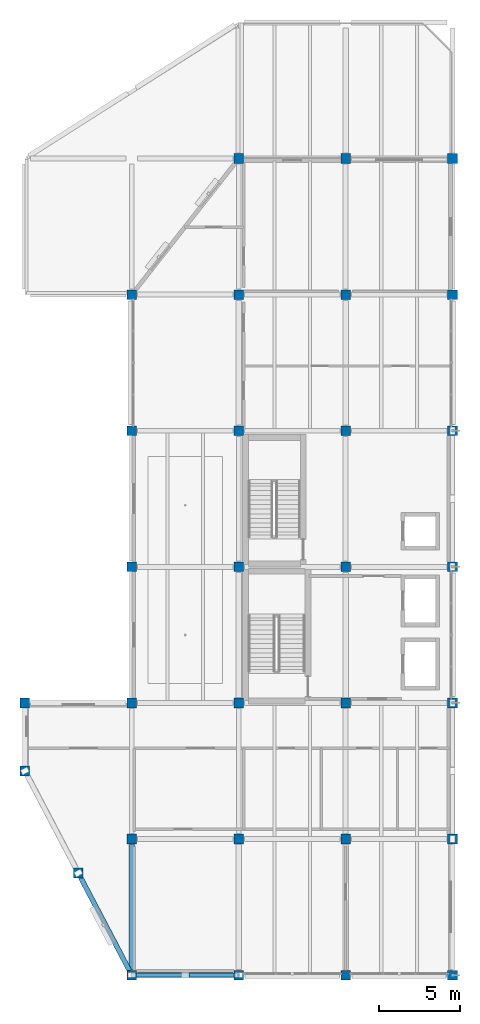
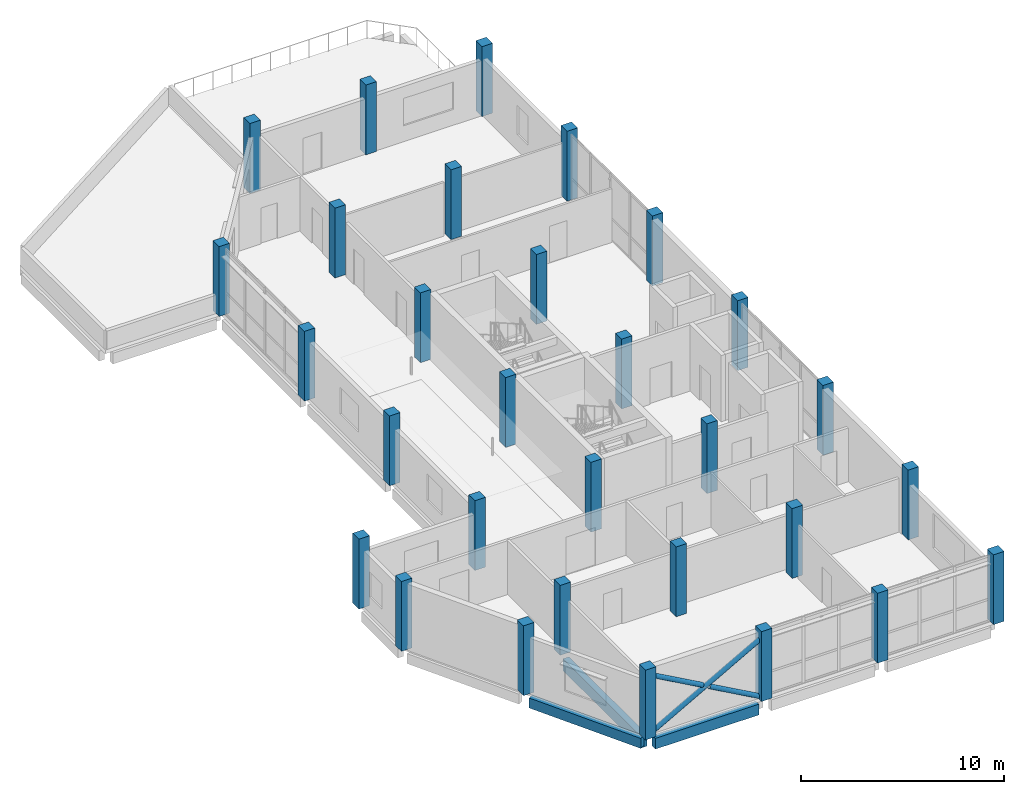
# One storey, part 1 of 12: 30 columns, 3 beams, 3 members.
"""IFC4 building model written with IfcOpenShell, lengths in metres."""

from ifc_helpers import new_model, si_unit, direction, frame, origin, origin_2d, place, context, subcontext, project, spatial, rectangle, hollow_circle, extrude, material, material_profile, profile_set, type_object, element, save


model = new_model("IFC4")

# Units and contexts
model_context = context("Model", 3, precision=1e-05, world=origin(), true_north=direction((0.0, 1.0)))
body_context = subcontext(model_context, "Body", "Model", "MODEL_VIEW")
ifc_project = project(units=[si_unit("LENGTHUNIT", "METRE"), si_unit("AREAUNIT", "SQUARE_METRE"), si_unit("VOLUMEUNIT", "CUBIC_METRE"), si_unit("PLANEANGLEUNIT", "RADIAN"), si_unit("MASSUNIT", "GRAM", prefix="KILO")], contexts=[model_context])

# Site, building, storey
site_placement = place(None, origin())
site = spatial("IfcSite", under=ifc_project, at=site_placement, CompositionType="ELEMENT")
building_placement = place(site_placement, origin())
building = spatial("IfcBuilding", under=site, at=building_placement, Name="Qaldarim Faculty of Natural and Applied Sciences", CompositionType="ELEMENT")
storey_placement = place(building_placement, frame((0.0, 0.0, 31.199951171875)))
storey = spatial("IfcBuildingStorey", under=building, at=storey_placement, Name="L07", CompositionType="ELEMENT", Elevation=31.199951171875)

# Columns
ifc_material_1 = material(Name="Concrete C50/60", Category="concrete")
ifc_material_profile_1 = material_profile(ifc_material_1, rectangle(XDim=0.60009765625, YDim=0.60009765625, at=origin_2d()), Name="RC-C600x600")
ifc_profile_set_1 = profile_set([ifc_material_profile_1], Name="Concrete C50/60")
column_type = type_object("IfcColumnType", Name="Column-RC600x600", PredefinedType="COLUMN", material=ifc_profile_set_1)
for number, where, z_axis, x_axis, name in (
    (1, (151.800048828125, 16.800048828125, 0.0), (0.0, 0.0, 1.0), (1.0, 0.0, 0.0), "Column X24/Y03 L07"),
    (2, (158.39990234375, 0.0, 0.0), (0.0, 0.0, 1.0), (1.0, 0.0, 0.0), "Column X25/Y01 L07"),
    (3, (158.39990234375, 8.39990234375, 0.0), (0.0, 0.0, 1.0), (1.0, 0.0, 0.0), "Column X25/Y02 L07"),
    (4, (158.39990234375, 16.800048828125, 0.0), (0.0, 0.0, 1.0), (1.0, 0.0, 0.0), "Column X25/Y03 L07"),
    (5, (158.39990234375, 25.199951171875, 0.0), (0.0, 0.0, 1.0), (1.0, 0.0, 0.0), "Column X25/Y04 L07"),
    (6, (158.39990234375, 33.60009765625, 0.0), (0.0, 0.0, 1.0), (1.0, 0.0, 0.0), "Column X25/Y05 L07"),
    (7, (158.39990234375, 42.0, 0.0), (0.0, 0.0, 1.0), (1.0, 0.0, 0.0), "Column X25/Y06 L07"),
    (8, (165.0, 0.0, 0.0), (0.0, 0.0, 1.0), (1.0, 0.0, 0.0), "Column X26/Y01 L07"),
    (9, (165.0, 8.39990234375, 0.0), (0.0, 0.0, 1.0), (1.0, 0.0, 0.0), "Column X26/Y02 L07"),
    (10, (165.0, 16.800048828125, 0.0), (0.0, 0.0, 1.0), (1.0, 0.0, 0.0), "Column X26/Y03 L07"),
    (11, (165.0, 25.199951171875, 0.0), (0.0, 0.0, 1.0), (1.0, 0.0, 0.0), "Column X26/Y04 L07"),
    (12, (165.0, 33.60009765625, 0.0), (0.0, 0.0, 1.0), (1.0, 0.0, 0.0), "Column X26/Y05 L07"),
    (13, (165.0, 42.0, 0.0), (0.0, 0.0, 1.0), (1.0, 0.0, 0.0), "Column X26/Y06 L07"),
    (14, (165.0, 50.39990234375, 0.0), (0.0, 0.0, 1.0), (1.0, 0.0, 0.0), "Column X26/Y07 L07"),
    (15, (171.60009765625, 0.0, 0.0), (0.0, 0.0, 1.0), (1.0, 0.0, 0.0), "Column X27/Y01 L07"),
    (16, (171.60009765625, 8.39990234375, 0.0), (0.0, 0.0, 1.0), (1.0, 0.0, 0.0), "Column X27/Y02 L07"),
    (17, (171.60009765625, 16.800048828125, 0.0), (0.0, 0.0, 1.0), (1.0, 0.0, 0.0), "Column X27/Y03 L07"),
    (18, (171.60009765625, 25.199951171875, 0.0), (0.0, 0.0, 1.0), (1.0, 0.0, 0.0), "Column X27/Y04 L07"),
    (19, (171.60009765625, 33.60009765625, 0.0), (0.0, 0.0, 1.0), (1.0, 0.0, 0.0), "Column X27/Y05 L07"),
    (20, (171.60009765625, 42.0, 0.0), (0.0, 0.0, 1.0), (1.0, 0.0, 0.0), "Column X27/Y06 L07"),
    (21, (171.60009765625, 50.39990234375, 0.0), (0.0, 0.0, 1.0), (1.0, 0.0, 0.0), "Column X27/Y07 L07"),
    (22, (178.199951171875, 0.0, 0.0), (0.0, 0.0, 1.0), (1.0, 0.0, 0.0), "Column X28/Y01 L07"),
    (23, (178.199951171875, 8.39990234375, 0.0), (0.0, 0.0, 1.0), (1.0, 0.0, 0.0), "Column X28/Y02 L07"),
    (24, (178.199951171875, 16.800048828125, 0.0), (0.0, 0.0, 1.0), (1.0, 0.0, 0.0), "Column X28/Y03 L07"),
    (25, (178.199951171875, 25.199951171875, 0.0), (0.0, 0.0, 1.0), (1.0, 0.0, 0.0), "Column X28/Y04 L07"),
    (26, (178.199951171875, 33.60009765625, 0.0), (0.0, 0.0, 1.0), (1.0, 0.0, 0.0), "Column X28/Y05 L07"),
    (27, (178.199951171875, 42.0, 0.0), (0.0, 0.0, 1.0), (1.0, 0.0, 0.0), "Column X28/Y06 L07"),
    (28, (178.199951171875, 50.39990234375, 0.0), (0.0, 0.0, 1.0), (1.0, 0.0, 0.0), "Column X28/Y07 L07"),
    (29, (151.800048828125, 12.60009765625, 0.0), (0.0, 0.0, 1.0), (1.0, 0.0, 0.0), "Special structural column V5-SW1 L07"),
    (30, (155.10009765625, 6.300048828125, 0.0), (0.0, 0.0, 1.0), (1.0, 0.0, 0.0), "Special structural column V5-SW2 L07"),
):
    element("IfcColumn", number, at=place(storey_placement, frame(where, z_axis=z_axis, x_axis=x_axis)), inside=storey, type_object=column_type, Name=name, PredefinedType="COLUMN", context=body_context, shape_type="SweptSolid", body=[
        extrude(rectangle(XDim=0.60009765625, YDim=0.60009765625, at=origin_2d()), origin(), (0.0, 0.0, 1.0), 4.199951171875),
    ])

# Members
ifc_material_2 = material(Name="Structural steel S355", Category="steel")
ifc_material_profile_2 = material_profile(ifc_material_2, hollow_circle(Radius=0.136474609375, WallThickness=0.01611328125, at=origin_2d()), Name="CHS 273.0x16.0")
ifc_profile_set_2 = profile_set([ifc_material_profile_2], Name="Structural steel S355")
member_type = type_object("IfcMemberType", Name="PortalBrace-CHS273x16", PredefinedType="BRACE", material=ifc_profile_set_2)
member_placement = place(storey_placement, frame((158.39990234375, 0.0, 0.0), z_axis=(0.873414086048, 0.0, 0.48697826881), x_axis=(0.0, 1.0, 0.0)))
element("IfcMember", 31, at=member_placement, inside=storey, type_object=member_type, Name="South diagrid L07 primary brace L", PredefinedType="BRACE", context=body_context, shape_type="SweptSolid", body=[
    extrude(hollow_circle(Radius=0.136474609375, WallThickness=0.01611328125, at=origin_2d()), origin(), (0.0, 0.0, 1.0), 7.556640625),
])
for number, where, z_axis, x_axis, name in (
    (32, (165.0, 0.0, 0.0), (-0.873289278282, 0.0, 0.487202048885), (0.0, -1.0, 0.0), "South diagrid L07 split secondary lower brace R1"),
    (33, (161.510009765625, 0.0, 1.945068359375), (-0.873318444574, 0.0, 0.487149765849), (0.0, -1.0, 0.0), "South diagrid L07 split secondary upper brace R2"),
):
    element("IfcMember", number, at=place(storey_placement, frame(where, z_axis=z_axis, x_axis=x_axis)), inside=storey, type_object=member_type, Name=name, PredefinedType="BRACE", context=body_context, shape_type="SweptSolid", body=[
        extrude(hollow_circle(Radius=0.136474609375, WallThickness=0.01611328125, at=origin_2d()), origin(), (0.0, 0.0, 1.0), 3.561279296875),
    ])

# Beams
ifc_material_3 = material(Name="Concrete C40/50", Category="concrete")
ifc_material_profile_3 = material_profile(ifc_material_3, rectangle(XDim=0.300048828125, YDim=0.64990234375, at=origin_2d()), Name="RC-B300x650")
ifc_profile_set_3 = profile_set([ifc_material_profile_3], Name="Concrete C40/50")
beam_type_1 = type_object("IfcBeamType", Name="PrimaryBeam-RC300x650", PredefinedType="BEAM", material=ifc_profile_set_3)
beam_1_placement = place(storey_placement, frame((158.75, 0.0, -0.544921875), z_axis=(1.0, 0.0, 0.0), x_axis=(0.0, 1.0, 0.0)))
element("IfcBeam", 34, at=beam_1_placement, inside=storey, type_object=beam_type_1, Name="Beam RC-B300x650 L06 X25-X26/Y01", PredefinedType="BEAM", context=body_context, shape_type="SweptSolid", body=[
    extrude(rectangle(XDim=0.300048828125, YDim=0.64990234375, at=origin_2d()), origin(), (0.0, 0.0, 1.0), 5.89990234375),
])
ifc_material_profile_4 = material_profile(ifc_material_3, rectangle(XDim=0.35009765625, YDim=0.699951171875, at=origin_2d()), Name="RC-B350x700")
ifc_profile_set_4 = profile_set([ifc_material_profile_4], Name="Concrete C40/50")
beam_type_2 = type_object("IfcBeamType", Name="PrimaryGirder-RC350x700", PredefinedType="BEAM", material=ifc_profile_set_4)
beam_2_placement = place(storey_placement, frame((158.39990234375, 0.35009765625, -0.570068359375), z_axis=(0.0, 1.0, 0.0), x_axis=(-1.0, 0.0, 0.0)))
element("IfcBeam", 35, at=beam_2_placement, inside=storey, type_object=beam_type_2, Name="Beam RC-B350x700 L06 X25/Y01-Y02", PredefinedType="BEAM", context=body_context, shape_type="SweptSolid", body=[
    extrude(rectangle(XDim=0.35009765625, YDim=0.699951171875, at=origin_2d()), origin(), (0.0, 0.0, 1.0), 7.699951171875),
])
ifc_material_4 = material(Name="Precast concrete C40/50", Category="concrete")
ifc_material_profile_5 = material_profile(ifc_material_4, rectangle(XDim=0.300048828125, YDim=0.60009765625, at=origin_2d()), Name="RC-SP300x600")
ifc_profile_set_5 = profile_set([ifc_material_profile_5], Name="Precast concrete C40/50")
beam_type_3 = type_object("IfcBeamType", Name="SpandrelBeam-RC300x600", PredefinedType="SPANDREL", material=ifc_profile_set_5)
beam_3_placement = place(storey_placement, frame((155.239990234375, 6.030029296875, -0.52001953125), z_axis=(0.464353423794, -0.885649986061, 0.0), x_axis=(0.885649986061, 0.464353423794, 0.0)))
element("IfcBeam", 36, at=beam_3_placement, inside=storey, type_object=beam_type_3, Name="Oblique SW chamfer spandrel L06 3", PredefinedType="SPANDREL", context=body_context, shape_type="SweptSolid", body=[
    extrude(rectangle(XDim=0.300048828125, YDim=0.60009765625, at=origin_2d()), origin(), (0.0, 0.0, 1.0), 6.503662109375),
])

save(model, "model.ifc")
